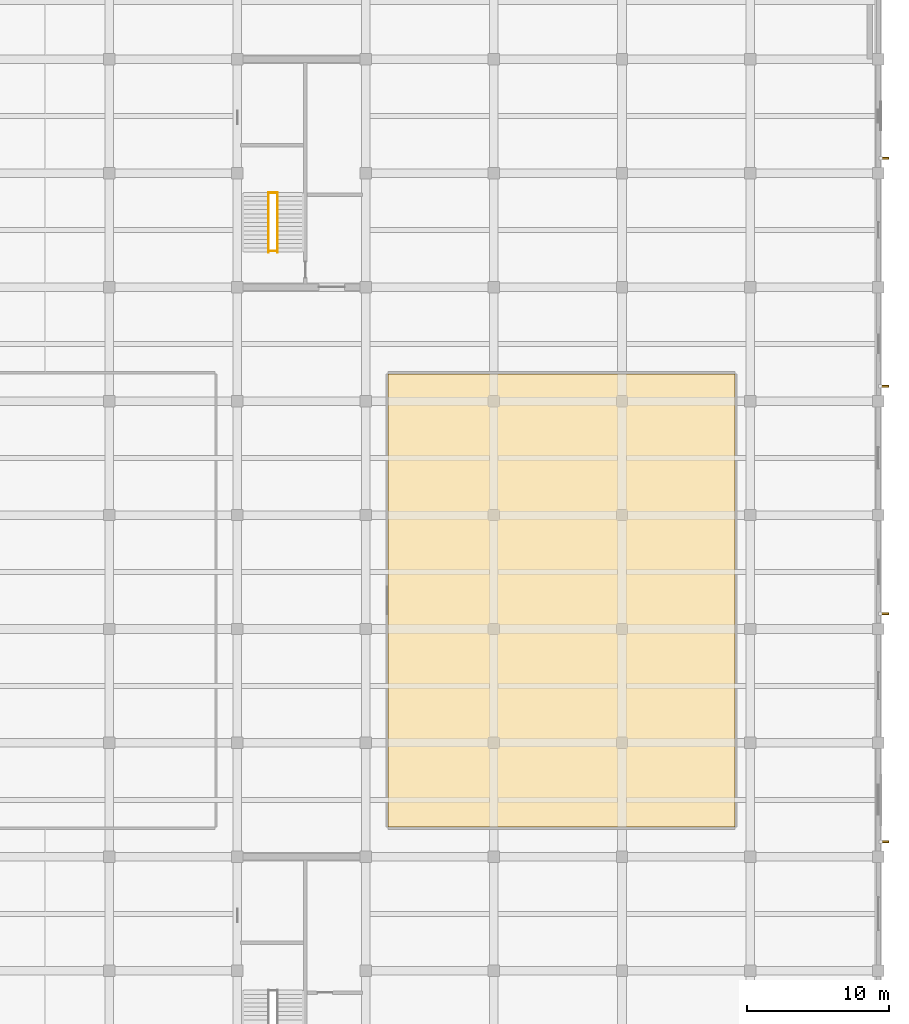
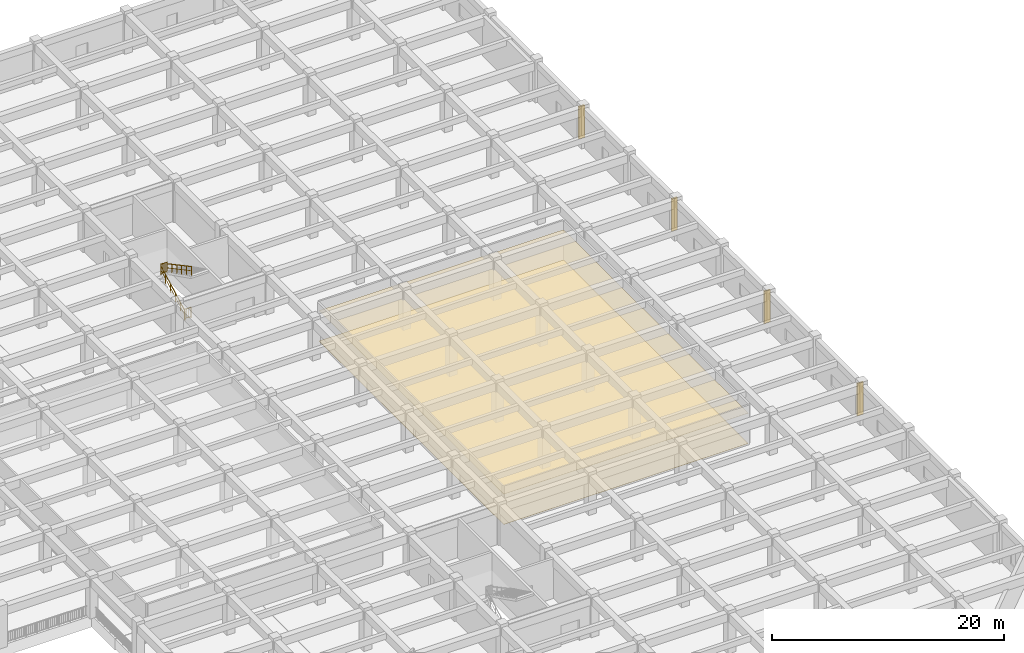
# One storey, part 49 of 50: 4 railings, 4 shading devices, 2 coverings.
"""IFC4 building model written with IfcOpenShell, lengths in metres."""

import ifcopenshell
import ifcopenshell.guid

model = None  # the IFC model being written
_history = None  # IfcOwnerHistory: only IFC2X3 demands one
_inside = {}  # id of a spatial element -> (the spatial element, [elements in it])
_under = {}  # id of a project, library or spatial element -> (it, [spatial elements below it])
_declared = {}  # id of a project -> (the project, [libraries it declares])
_typed = {}  # id of a type object -> (the type object, [elements of that type])
_made_of = {}  # id of a material, layer set ... -> (it, [elements and type objects made of it])


def new_model(schema):
    """Start an empty IFC model of exactly this schema.

    Asked for "IFC4X3", IfcOpenShell would pick the latest addendum, in which some entities
    have other attributes; the version numbers below select the first issue.
    IFC2X3 requires an IfcOwnerHistory on every rooted entity: one is made here for all.
    """
    global model, _history
    if schema == "IFC4X3":
        model = ifcopenshell.file(schema_version=(4, 3, 0, 0))
    else:
        model = ifcopenshell.file(schema=schema)
    _inside.clear()
    _under.clear()
    _declared.clear()
    _typed.clear()
    _made_of.clear()
    _history = None
    if model.schema == "IFC2X3":
        org = make("IfcOrganization", Name="unknown")
        user = make(
            "IfcPersonAndOrganization",
            ThePerson=make("IfcPerson", FamilyName="unknown"),
            TheOrganization=org,
        )
        app = make(
            "IfcApplication",
            ApplicationDeveloper=org,
            Version="unknown",
            ApplicationFullName="unknown",
            ApplicationIdentifier="unknown",
        )
        _history = make(
            "IfcOwnerHistory",
            OwningUser=user,
            OwningApplication=app,
            ChangeAction="ADDED",
            CreationDate=0,
        )
    return model


def make(cls, **values):
    """One entity of the class cls with the attributes given. An attribute that is None is left unset."""
    return model.create_entity(
        cls, **{name: value for name, value in values.items() if value is not None}
    )


def rooted(cls, **values):
    """An entity with a GlobalId (a new one), such as an element, a storey or a relation."""
    return make(cls, GlobalId=ifcopenshell.guid.new(), OwnerHistory=_history, **values)


def si_unit(unit_type, name, prefix=None):
    """IfcSIUnit, for example si_unit("LENGTHUNIT", "METRE", prefix="MILLI")."""
    return make("IfcSIUnit", UnitType=unit_type, Prefix=prefix, Name=name)


def assignment(units):
    """IfcUnitAssignment: the units of a project."""
    return None if units is None else make("IfcUnitAssignment", Units=units)


def point(xyz):
    """IfcCartesianPoint."""
    return None if xyz is None else make("IfcCartesianPoint", Coordinates=xyz)


def direction(xyz):
    """IfcDirection."""
    return None if xyz is None else make("IfcDirection", DirectionRatios=xyz)


def frame(location, z_axis=None, x_axis=None):
    """IfcAxis2Placement3D, a coordinate frame: its origin and axes. An axis left out is left unset."""
    return make(
        "IfcAxis2Placement3D",
        Location=point(location),
        Axis=direction(z_axis),
        RefDirection=direction(x_axis),
    )


def frame_2d(location, x_axis=None):
    """IfcAxis2Placement2D, a coordinate frame in the plane: its origin and x axis."""
    return make(
        "IfcAxis2Placement2D", Location=point(location), RefDirection=direction(x_axis)
    )


def origin():
    """The frame at (0, 0, 0) with its axes left unset."""
    return frame((0.0, 0.0, 0.0))


def origin_2d():
    """The frame at (0, 0) in the plane with its x axis left unset."""
    return frame_2d((0.0, 0.0))


def place(relative_to, where):
    """IfcLocalPlacement: puts the frame where relative to a parent placement (None: the world)."""
    return make(
        "IfcLocalPlacement", PlacementRelTo=relative_to, RelativePlacement=where
    )


def context(
    kind, dimensions, precision=None, world=None, true_north=None, identifier=None
):
    """IfcGeometricRepresentationContext, for example the 3D "Model" context."""
    return make(
        "IfcGeometricRepresentationContext",
        ContextIdentifier=identifier,
        ContextType=kind,
        CoordinateSpaceDimension=dimensions,
        Precision=precision,
        WorldCoordinateSystem=world,
        TrueNorth=true_north,
    )


def subcontext(parent, identifier, kind, view, scale=None):
    """IfcGeometricRepresentationSubContext, for example "Body" below "Model"."""
    return make(
        "IfcGeometricRepresentationSubContext",
        ContextIdentifier=identifier,
        ContextType=kind,
        ParentContext=parent,
        TargetScale=scale,
        TargetView=view,
    )


def project(units=None, contexts=None):
    """IfcProject with its units and contexts."""
    return rooted(
        "IfcProject",
        Name="project",
        RepresentationContexts=contexts,
        UnitsInContext=assignment(units),
    )


def spatial(cls, under=None, at=None, **own):
    """A site, building, storey or space (cls), placed at a placement, below another one or the project."""
    s = rooted(cls, ObjectPlacement=at, **own)
    if under is not None:
        _under.setdefault(under.id(), (under, []))[1].append(s)
    return s


def polyline(points):
    """IfcPolyline through the points."""
    return make("IfcPolyline", Points=[point(p) for p in points])


def profile(cls, at=None, kind="AREA", **sizes):
    """A parametric profile (cls). Its sizes go by their IFC names, for example OverallWidth=200.0."""
    return make(cls, ProfileType=kind, Position=at, **sizes)


def rectangle(**sizes):
    """IfcRectangleProfileDef."""
    return profile("IfcRectangleProfileDef", **sizes)


def circle(**sizes):
    """IfcCircleProfileDef."""
    return profile("IfcCircleProfileDef", **sizes)


def outline(outer, holes=None, kind="AREA"):
    """IfcArbitraryClosedProfileDef: a profile drawn as a closed curve; with holes, ...WithVoids."""
    if holes is None:
        return make("IfcArbitraryClosedProfileDef", ProfileType=kind, OuterCurve=outer)
    return make(
        "IfcArbitraryProfileDefWithVoids",
        ProfileType=kind,
        OuterCurve=outer,
        InnerCurves=holes,
    )


def extrude(swept, where, along, depth):
    """IfcExtrudedAreaSolid: the profile swept, set in the frame where, extruded along a direction by depth."""
    return make(
        "IfcExtrudedAreaSolid",
        SweptArea=swept,
        Position=where,
        ExtrudedDirection=direction(along),
        Depth=depth,
    )


def shape(context_of_items, identifier, shape_type, items):
    """IfcShapeRepresentation: the items that make up one representation, for example the "Body"."""
    return make(
        "IfcShapeRepresentation",
        ContextOfItems=context_of_items,
        RepresentationIdentifier=identifier,
        RepresentationType=shape_type,
        Items=items,
    )


def material(Name=None, Category=None):
    """IfcMaterial."""
    return make("IfcMaterial", Name=Name, Category=Category)


def layer(
    of_material, thickness, ventilated=None, Name=None, Category=None, Priority=None
):
    """IfcMaterialLayer: one layer of a wall or slab, of a material (None: an air gap)."""
    return make(
        "IfcMaterialLayer",
        Material=of_material,
        LayerThickness=thickness,
        IsVentilated=ventilated,
        Name=Name,
        Category=Category,
        Priority=Priority,
    )


def layer_set(layers, Name=None):
    """IfcMaterialLayerSet."""
    return make("IfcMaterialLayerSet", MaterialLayers=layers, LayerSetName=Name)


def made_of(thing, what):
    """Note that an element or type object is made of a material, layer set ...; save() writes the relation."""
    if what is not None:
        _made_of.setdefault(what.id(), (what, []))[1].append(thing)
    return thing


def type_object(cls, material=None, **own):
    """A type object (cls), such as IfcWallType, which elements share."""
    return made_of(rooted(cls, **own), material)


def element(
    cls,
    number,
    at=None,
    inside=None,
    cuts=None,
    type_object=None,
    material=None,
    context=None,
    identifier="Body",
    shape_type=None,
    held_by="IfcProductDefinitionShape",
    body=None,
    shapes=None,
    **own,
):
    """One element of the class cls, such as IfcWall. Its Tag is "e" and its number.

    at: its placement. inside: the storey or other place that contains it. cuts: it is an
    opening in that element (IfcRelVoidsElement). A single representation is given by context,
    identifier, shape_type and body (its items); several are given by shapes. held_by: the class
    of the entity that holds the representations. save() writes the other relations.
    """
    e = rooted(cls, Tag="e%d" % number, ObjectPlacement=at, **own)
    if body is not None:
        shapes = [shape(context, identifier, shape_type, body)]
    if shapes is not None:
        e.Representation = make(held_by, Representations=shapes)
    if inside is not None:
        _inside.setdefault(inside.id(), (inside, []))[1].append(e)
    if cuts is not None:
        rooted(
            "IfcRelVoidsElement", RelatingBuildingElement=cuts, RelatedOpeningElement=e
        )
    if type_object is not None:
        _typed.setdefault(type_object.id(), (type_object, []))[1].append(e)
    return made_of(e, material)


def aggregate(whole, parts):
    """IfcRelAggregates: a whole, such as a stair, and the parts it consists of."""
    return rooted("IfcRelAggregates", RelatingObject=whole, RelatedObjects=parts)


def save(model, path):
    """Write the relations noted so far, then the file.

    IfcRelAggregates (storeys below a building ...), IfcRelContainedInSpatialStructure (elements
    in a storey), IfcRelDefinesByType, IfcRelAssociatesMaterial and IfcRelDeclares: one each for
    every whole, place, type object, material and project.
    """
    for whole, parts in _under.values():
        aggregate(whole, parts)
    for where, things in _inside.values():
        rooted(
            "IfcRelContainedInSpatialStructure",
            RelatedElements=things,
            RelatingStructure=where,
        )
    for kind, things in _typed.values():
        rooted("IfcRelDefinesByType", RelatedObjects=things, RelatingType=kind)
    for what, things in _made_of.values():
        rooted("IfcRelAssociatesMaterial", RelatedObjects=things, RelatingMaterial=what)
    for by, libraries in _declared.values():
        rooted("IfcRelDeclares", RelatingContext=by, RelatedDefinitions=libraries)
    model.write(path)


model = new_model("IFC4")

# Units and contexts
model_context = context("Model", 3, precision=1e-05, world=origin(), true_north=direction((0.0, 1.0)))
body_context = subcontext(model_context, "Body", "Model", "MODEL_VIEW")
ifc_project = project(units=[si_unit("LENGTHUNIT", "METRE"), si_unit("AREAUNIT", "SQUARE_METRE"), si_unit("VOLUMEUNIT", "CUBIC_METRE"), si_unit("PLANEANGLEUNIT", "RADIAN"), si_unit("MASSUNIT", "GRAM", prefix="KILO")], contexts=[model_context])

# Site, building, storey
site_placement = place(None, origin())
site = spatial("IfcSite", under=ifc_project, at=site_placement, CompositionType="ELEMENT")
building_placement = place(site_placement, origin())
building = spatial("IfcBuilding", under=site, at=building_placement, Name="Zaverband Oceanarium and Marine Research Institute", CompositionType="ELEMENT")
storey_placement = place(building_placement, frame((0.0, 0.0, 4.5)))
storey = spatial("IfcBuildingStorey", under=building, at=storey_placement, Name="L01", CompositionType="ELEMENT", Elevation=4.5)

# Coverings
ifc_material_1 = material(Name="Perforated mineral-fibre acoustic ceiling tile")
ifc_layer_1 = layer(ifc_material_1, 0.02490234375, Name="Perforated mineral-fibre acoustic ceiling tile")
ifc_layer_set_1 = layer_set([ifc_layer_1], Name="Perforated mineral-fibre acoustic ceiling tile")
covering_type_1 = type_object("IfcCoveringType", Name="CLG-AC-15", PredefinedType="CEILING", material=ifc_layer_set_1)
covering_1_placement = place(storey_placement, frame((0.0, 0.0, 3.18994140625)))
element("IfcCovering", 1, at=covering_1_placement, inside=storey, type_object=covering_type_1, Name="Suspended acoustic ceiling CLG-AC-15", PredefinedType="CEILING", context=body_context, shape_type="SweptSolid", body=[
    extrude(outline(polyline([(145.58251953125, 42.08251953125), (169.91748046875, 42.08251953125), (169.91748046875, 73.91748046875), (145.58251953125, 73.91748046875), (145.58251953125, 42.08251953125)])), origin(), (0.0, 0.0, 1.0), 0.025146484375),
])
ifc_material_2 = material(Name="Polished marine terrazzo and seamless laboratory epoxy flooring")
ifc_layer_2 = layer(ifc_material_2, 0.02490234375, Name="Polished marine terrazzo and seamless laboratory epoxy flooring")
ifc_layer_set_2 = layer_set([ifc_layer_2], Name="Polished marine terrazzo and seamless laboratory epoxy flooring")
covering_type_2 = type_object("IfcCoveringType", Name="FLR-TRZ-20", PredefinedType="FLOORING", material=ifc_layer_set_2)
covering_2_placement = place(storey_placement, origin())
element("IfcCovering", 2, at=covering_2_placement, inside=storey, type_object=covering_type_2, Name="Terrazzo and marine epoxy floor finish FLR-TRZ-20", PredefinedType="FLOORING", context=body_context, shape_type="SweptSolid", body=[
    extrude(outline(polyline([(145.58251953125, 42.08251953125), (169.91748046875, 42.08251953125), (169.91748046875, 73.91748046875), (145.58251953125, 73.91748046875), (145.58251953125, 42.08251953125)])), origin(), (0.0, 0.0, 1.0), 0.02490234375),
])

# Railings
ifc_material_3 = material(Name="Steel S355", Category="steel")
ifc_layer_3 = layer(ifc_material_3, 0.06005859375, Name="Steel S355")
ifc_layer_set_3 = layer_set([ifc_layer_3], Name="Steel S355")
railing_type_1 = type_object("IfcRailingType", Name="GRD-1100", PredefinedType="BALUSTRADE", material=ifc_layer_set_3)
for number, where, name in (
    (3, (137.18994140625, 86.6298828125, 2.25), "1100 mm steel post-and-baluster safety guard GRD-1100"),
    (4, (137.18994140625, 82.530029296875, 0.0), "1100 mm steel post-and-baluster safety guard GRD-1100"),
):
    element("IfcRailing", number, at=place(storey_placement, frame(where)), inside=storey, type_object=railing_type_1, Name=name, PredefinedType="BALUSTRADE", context=body_context, shape_type="SweptSolid", body=[
        extrude(circle(Radius=0.02392578125, at=origin_2d()), frame((0.0, 0.0, 1.076171875), z_axis=(1.0, 0.0, 0.0), x_axis=(0.0, 1.0, 0.0)), (0.0, 0.0, 1.0), 0.6201171875),
        extrude(circle(Radius=0.009033203125, at=origin_2d()), frame((0.0, 0.0, 0.10009765625), z_axis=(1.0, 0.0, 0.0), x_axis=(0.0, 1.0, 0.0)), (0.0, 0.0, 1.0), 0.6201171875),
        extrude(circle(Radius=0.009033203125, at=origin_2d()), frame((0.206787109375, 0.0, 0.10009765625)), (0.0, 0.0, 1.0), 0.951904296875),
        extrude(circle(Radius=0.009033203125, at=origin_2d()), frame((0.413330078125, 0.0, 0.10009765625)), (0.0, 0.0, 1.0), 0.951904296875),
        extrude(circle(Radius=0.02099609375, at=origin_2d()), origin(), (0.0, 0.0, 1.0), 1.052001953125),
        extrude(circle(Radius=0.02099609375, at=origin_2d()), frame((0.6201171875, 0.0, 0.0)), (0.0, 0.0, 1.0), 1.052001953125),
    ])
ifc_layer_4 = layer(ifc_material_3, 0.050048828125, Name="Steel S355")
ifc_layer_set_4 = layer_set([ifc_layer_4], Name="Steel S355")
railing_type_2 = type_object("IfcRailingType", Name="HR-920", PredefinedType="HANDRAIL", material=ifc_layer_set_4)
railing_1_placement = place(storey_placement, frame((137.18994140625, 82.449951171875, 0.0)))
element("IfcRailing", 5, at=railing_1_placement, inside=storey, type_object=railing_type_2, Name="920 mm continuous tubular stair and ramp handrail HR-920", PredefinedType="HANDRAIL", context=body_context, shape_type="SweptSolid", body=[
    extrude(circle(Radius=0.02392578125, at=origin_2d()), frame((0.0, 0.0, 0.89599609375), z_axis=(0.0, 0.881477684796, 0.472225678258), x_axis=(-1.0, 0.0, 0.0)), (0.0, 0.0, 1.0), 4.7646484375),
    extrude(circle(Radius=0.009033203125, at=origin_2d()), frame((0.0, 0.0, 0.4599609375), z_axis=(0.0, 0.881477684796, 0.472225678258), x_axis=(-1.0, 0.0, 0.0)), (0.0, 0.0, 1.0), 4.7646484375),
    extrude(circle(Radius=0.02099609375, at=origin_2d()), origin(), (0.0, 0.0, 1.0), 0.871826171875),
    extrude(circle(Radius=0.02099609375, at=origin_2d()), frame((0.0, 0.840087890625, 0.449951171875)), (0.0, 0.0, 1.0), 0.871826171875),
    extrude(circle(Radius=0.02099609375, at=origin_2d()), frame((0.0, 1.679931640625, 0.89990234375)), (0.0, 0.0, 1.0), 0.871826171875),
    extrude(circle(Radius=0.02099609375, at=origin_2d()), frame((0.0, 2.52001953125, 1.35009765625)), (0.0, 0.0, 1.0), 0.871826171875),
    extrude(circle(Radius=0.02099609375, at=origin_2d()), frame((0.0, 3.35986328125, 1.800048828125)), (0.0, 0.0, 1.0), 0.871826171875),
    extrude(circle(Radius=0.02099609375, at=origin_2d()), frame((0.0, 4.199951171875, 2.25)), (0.0, 0.0, 1.0), 0.871826171875),
])
railing_2_placement = place(storey_placement, frame((137.81005859375, 86.64990234375, 2.25)))
element("IfcRailing", 6, at=railing_2_placement, inside=storey, type_object=railing_type_2, Name="920 mm continuous tubular stair and ramp handrail HR-920", PredefinedType="HANDRAIL", context=body_context, shape_type="SweptSolid", body=[
    extrude(circle(Radius=0.02392578125, at=origin_2d()), frame((0.0, 0.0, 0.89599609375), z_axis=(0.0, -0.881477684796, 0.472225678258), x_axis=(1.0, 0.0, 0.0)), (0.0, 0.0, 1.0), 4.7646484375),
    extrude(circle(Radius=0.009033203125, at=origin_2d()), frame((0.0, 0.0, 0.4599609375), z_axis=(0.0, -0.881477684796, 0.472225678258), x_axis=(1.0, 0.0, 0.0)), (0.0, 0.0, 1.0), 4.7646484375),
    extrude(circle(Radius=0.02099609375, at=origin_2d()), origin(), (0.0, 0.0, 1.0), 0.871826171875),
    extrude(circle(Radius=0.02099609375, at=origin_2d()), frame((0.0, -0.840087890625, 0.449951171875)), (0.0, 0.0, 1.0), 0.871826171875),
    extrude(circle(Radius=0.02099609375, at=origin_2d()), frame((0.0, -1.679931640625, 0.89990234375)), (0.0, 0.0, 1.0), 0.871826171875),
    extrude(circle(Radius=0.02099609375, at=origin_2d()), frame((0.0, -2.52001953125, 1.35009765625)), (0.0, 0.0, 1.0), 0.871826171875),
    extrude(circle(Radius=0.02099609375, at=origin_2d()), frame((0.0, -3.35986328125, 1.800048828125)), (0.0, 0.0, 1.0), 0.871826171875),
    extrude(circle(Radius=0.02099609375, at=origin_2d()), frame((0.0, -4.199951171875, 2.25)), (0.0, 0.0, 1.0), 0.871826171875),
])

# Shading devices
ifc_material_4 = material(Name="Concrete C40/50 precast brise-soleil", Category="concrete")
ifc_layer_5 = layer(ifc_material_4, 0.139892578125, Name="Concrete C40/50 precast brise-soleil")
ifc_layer_set_5 = layer_set([ifc_layer_5], Name="Concrete C40/50 precast brise-soleil")
shading_device_type = type_object("IfcShadingDeviceType", Name="SHD-FIN-600", PredefinedType="JALOUSIE", material=ifc_layer_set_5)
shading_device_1_placement = place(storey_placement, frame((180.135009765625, 41.054931640625, 0.0), z_axis=(0.0, 0.0, 1.0), x_axis=(1.0, 0.0, 0.0)))
element("IfcShadingDevice", 7, at=shading_device_1_placement, inside=storey, type_object=shading_device_type, Name="600 mm vertical precast brise-soleil fin SHD-FIN-600", PredefinedType="JALOUSIE", context=body_context, shape_type="SweptSolid", body=[
    extrude(rectangle(XDim=0.60009765625, YDim=0.139892578125, at=frame_2d((0.300048828125, 0.0))), origin(), (0.0, 0.0, 1.0), 3.409912109375),
])
shading_device_2_placement = place(storey_placement, frame((180.112548828125, 57.054931640625, 0.0), z_axis=(0.0, 0.0, 1.0), x_axis=(1.0, 0.0, 0.0)))
element("IfcShadingDevice", 8, at=shading_device_2_placement, inside=storey, type_object=shading_device_type, Name="600 mm vertical precast brise-soleil fin SHD-FIN-600", PredefinedType="JALOUSIE", context=body_context, shape_type="SweptSolid", body=[
    extrude(rectangle(XDim=0.599853515625, YDim=0.139892578125, at=frame_2d((0.2998046875, 0.0))), origin(), (0.0, 0.0, 1.0), 3.409912109375),
])
for number, where, z_axis, x_axis, name in (
    (9, (180.125, 73.054931640625, 0.0), (0.0, 0.0, 1.0), (1.0, 0.0, 0.0), "600 mm vertical precast brise-soleil fin SHD-FIN-600"),
    (10, (180.135009765625, 89.054931640625, 0.0), (0.0, 0.0, 1.0), (1.0, 0.0, 0.0), "600 mm vertical precast brise-soleil fin SHD-FIN-600"),
):
    element("IfcShadingDevice", number, at=place(storey_placement, frame(where, z_axis=z_axis, x_axis=x_axis)), inside=storey, type_object=shading_device_type, Name=name, PredefinedType="JALOUSIE", context=body_context, shape_type="SweptSolid", body=[
        extrude(rectangle(XDim=0.60009765625, YDim=0.139892578125, at=frame_2d((0.300048828125, 0.0))), origin(), (0.0, 0.0, 1.0), 3.409912109375),
    ])

save(model, "model.ifc")
